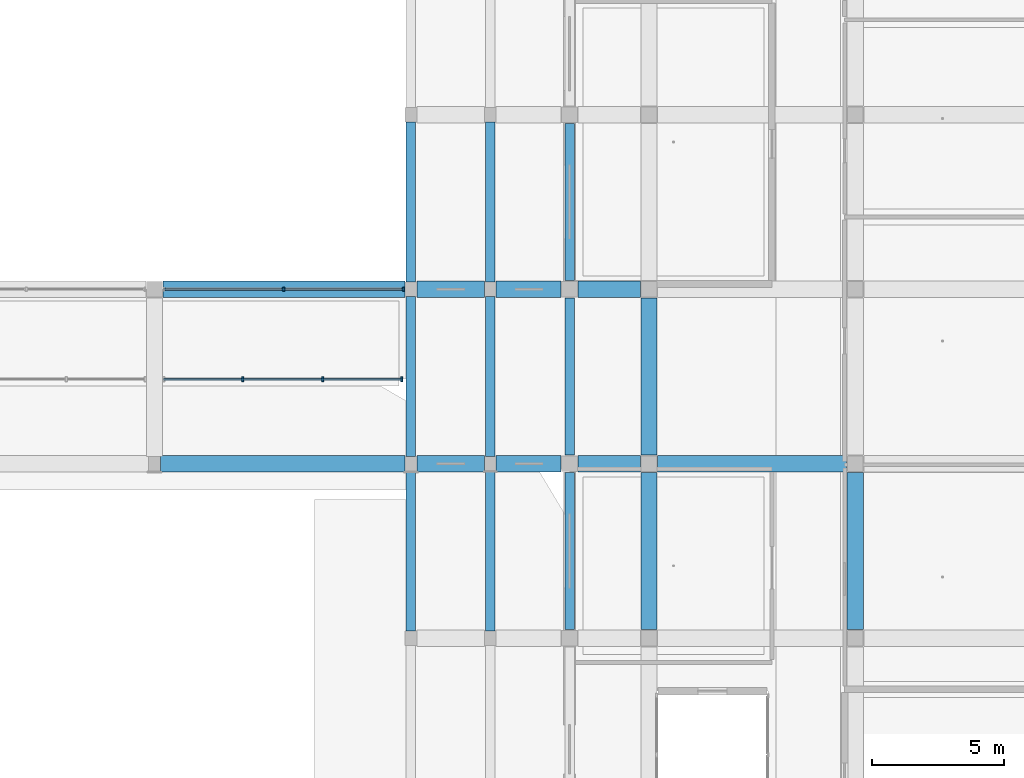
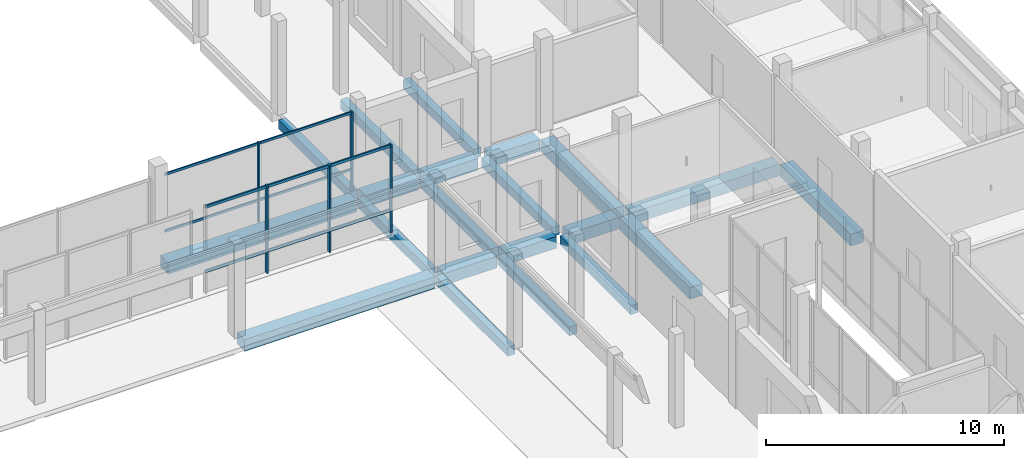
# One storey, part 37 of 88: 21 beams, 9 members, 2 elements without a shape of their own.
"""IFC4 building model written with IfcOpenShell, lengths in metres."""

from ifc_helpers import new_model, si_unit, derived_unit, direction, frame, origin, origin_2d, place, context, subcontext, project, spatial, rectangle, extrude, material, material_profile, profile_set, type_object, element, aggregate, save


model = new_model("IFC4")

# Units and contexts
model_context = context("Model", 3, precision=1e-05, world=origin(), true_north=direction((0.0, 1.0)))
body_context = subcontext(model_context, "Body", "Model", "MODEL_VIEW")
ifc_project = project(units=[si_unit("LENGTHUNIT", "METRE"), si_unit("AREAUNIT", "SQUARE_METRE"), si_unit("VOLUMEUNIT", "CUBIC_METRE"), si_unit("PLANEANGLEUNIT", "RADIAN"), si_unit("MASSUNIT", "GRAM", prefix="KILO"), derived_unit("THERMALTRANSMITTANCEUNIT", [(si_unit("POWERUNIT", "WATT"), 1), (si_unit("LENGTHUNIT", "METRE"), -2), (si_unit("THERMODYNAMICTEMPERATUREUNIT", "KELVIN"), -1)])], contexts=[model_context])

# Site, building, storey
site_placement = place(None, origin())
site = spatial("IfcSite", under=ifc_project, at=site_placement, CompositionType="ELEMENT")
building_placement = place(site_placement, origin())
building = spatial("IfcBuilding", under=site, at=building_placement, Name="Braskholm Square Health Centre", CompositionType="ELEMENT")
storey_placement = place(building_placement, origin())
storey = spatial("IfcBuildingStorey", under=building, at=storey_placement, Name="L01", CompositionType="ELEMENT", Elevation=0.0)

# Curtain wall, members
ifc_material_1 = material(Name="Low-E triple insulating glass (VLT 0.64)", Category="glass")
curtain_wall_type_1 = type_object("IfcCurtainWallType", Name="UnitisedCurtainWall6200x4100", PredefinedType="NOTDEFINED", material=ifc_material_1)
curtain_wall_1_placement = place(storey_placement, origin())
curtain_wall_1 = element("IfcCurtainWall", 1, at=curtain_wall_1_placement, inside=storey, type_object=curtain_wall_type_1, Name="Portal North L01 unitised curtain wall CW-L01-0210", PredefinedType="NOTDEFINED")
ifc_material_2 = material(Name="Architectural bronze anodised aluminium", Category="aluminium")
ifc_material_profile_1 = material_profile(ifc_material_2, rectangle(XDim=0.06494140625, YDim=0.14990234375, at=origin_2d()), Name="ALU-65X150")
ifc_profile_set_1 = profile_set([ifc_material_profile_1], Name="Architectural bronze anodised aluminium")
member_type_1 = type_object("IfcMemberType", Name="CurtainWallMullion65x150", PredefinedType="MULLION", material=ifc_profile_set_1)
member_1_placement = place(storey_placement, frame((139.52294921875, 93.800048828125, 0.0), z_axis=(0.0, 0.0, 1.0), x_axis=(1.0, 0.0, 0.0)))
member_1 = element("IfcMember", 2, at=member_1_placement, type_object=member_type_1, Name="CW-L01-0210 vertical mullion 1", PredefinedType="MULLION", context=body_context, shape_type="SweptSolid", body=[
    extrude(rectangle(XDim=0.06494140625, YDim=0.14990234375, at=origin_2d()), origin(), (0.0, 0.0, 1.0), 4.10009765625),
])
member_2_placement = place(storey_placement, frame((134.989990234375, 93.800048828125, 0.0), z_axis=(0.0, 0.0, 1.0), x_axis=(1.0, 0.0, 0.0)))
member_2 = element("IfcMember", 3, at=member_2_placement, type_object=member_type_1, Name="CW-L01-0210 vertical mullion 2", PredefinedType="MULLION", context=body_context, shape_type="SweptSolid", body=[
    extrude(rectangle(XDim=0.06494140625, YDim=0.14990234375, at=origin_2d()), origin(), (0.0, 0.0, 1.0), 4.10009765625),
])

curtain_wall_type_2 = type_object("IfcCurtainWallType", Name="UnitisedCurtainWall6200x4400", PredefinedType="NOTDEFINED", material=ifc_material_1)
curtain_wall_2_placement = place(storey_placement, origin())
curtain_wall_2 = element("IfcCurtainWall", 4, at=curtain_wall_2_placement, inside=storey, type_object=curtain_wall_type_2, Name="Hall Arcade unitised curtain wall CW-L01-0207", PredefinedType="NOTDEFINED")
ifc_material_profile_2 = material_profile(ifc_material_2, rectangle(XDim=0.074951171875, YDim=0.179931640625, at=origin_2d()), Name="ALU-75X180")
ifc_profile_set_2 = profile_set([ifc_material_profile_2], Name="Architectural bronze anodised aluminium")
member_type_2 = type_object("IfcMemberType", Name="CurtainWallMullion75x180", PredefinedType="MULLION", material=ifc_profile_set_2)
member_3_placement = place(storey_placement, frame((133.433349609375, 90.39990234375, 0.0), z_axis=(0.0, 0.0, 1.0), x_axis=(1.0, 0.0, 0.0)))
member_3 = element("IfcMember", 5, at=member_3_placement, type_object=member_type_2, Name="CW-L01-0207 vertical mullion 2", PredefinedType="MULLION", context=body_context, shape_type="SweptSolid", body=[
    extrude(rectangle(XDim=0.074951171875, YDim=0.179931640625, at=origin_2d()), origin(), (0.0, 0.0, 1.0), 4.5),
])
member_4_placement = place(storey_placement, frame((136.466796875, 90.39990234375, 0.0), z_axis=(0.0, 0.0, 1.0), x_axis=(1.0, 0.0, 0.0)))
member_4 = element("IfcMember", 6, at=member_4_placement, type_object=member_type_2, Name="CW-L01-0207 vertical mullion 3", PredefinedType="MULLION", context=body_context, shape_type="SweptSolid", body=[
    extrude(rectangle(XDim=0.074951171875, YDim=0.179931640625, at=origin_2d()), origin(), (0.0, 0.0, 1.0), 4.5),
])
member_5_placement = place(storey_placement, frame((139.4453125, 90.39990234375, 0.0), z_axis=(0.0, 0.0, 1.0), x_axis=(1.0, 0.0, 0.0)))
member_5 = element("IfcMember", 7, at=member_5_placement, type_object=member_type_2, Name="CW-L01-0207 vertical mullion 4", PredefinedType="MULLION", context=body_context, shape_type="SweptSolid", body=[
    extrude(rectangle(XDim=0.074951171875, YDim=0.179931640625, at=origin_2d()), origin(), (0.0, 0.0, 1.0), 4.5),
])

# Member
ifc_material_profile_3 = material_profile(ifc_material_2, rectangle(XDim=0.06494140625, YDim=0.1201171875, at=origin_2d()), Name="ALU-65X120")
ifc_profile_set_3 = profile_set([ifc_material_profile_3], Name="Architectural bronze anodised aluminium")
member_type_3 = type_object("IfcMemberType", Name="CurtainWallTransom65x120", PredefinedType="USERDEFINED", material=ifc_profile_set_3)
member_6_placement = place(storey_placement, frame((139.532958984375, 93.800048828125, 1.1201171875), z_axis=(-1.0, 0.0, 0.0), x_axis=(0.0, -1.0, 0.0)))
member_6 = element("IfcMember", 8, at=member_6_placement, type_object=member_type_3, Name="CW-L01-0210 horizontal transom 1", ObjectType="TRANSOM", PredefinedType="USERDEFINED", context=body_context, shape_type="SweptSolid", body=[
    extrude(rectangle(XDim=0.06494140625, YDim=0.1201171875, at=origin_2d()), origin(), (0.0, 0.0, 1.0), 9.0859375),
])

member_7_placement = place(storey_placement, frame((139.532958984375, 93.800048828125, 4.030029296875), z_axis=(-1.0, 0.0, 0.0), x_axis=(0.0, -1.0, 0.0)))
member_7 = element("IfcMember", 9, at=member_7_placement, type_object=member_type_3, Name="CW-L01-0210 horizontal transom 2", ObjectType="TRANSOM", PredefinedType="USERDEFINED", context=body_context, shape_type="SweptSolid", body=[
    extrude(rectangle(XDim=0.06494140625, YDim=0.1201171875, at=origin_2d()), origin(), (0.0, 0.0, 1.0), 9.0859375),
])

aggregate(curtain_wall_1, [member_1, member_2, member_6, member_7])

ifc_material_profile_4 = material_profile(ifc_material_2, rectangle(XDim=0.074951171875, YDim=0.139892578125, at=origin_2d()), Name="ALU-75X140")
ifc_profile_set_4 = profile_set([ifc_material_profile_4], Name="Architectural bronze anodised aluminium")
member_type_4 = type_object("IfcMemberType", Name="CurtainWallTransom75x140", PredefinedType="USERDEFINED", material=ifc_profile_set_4)
member_8_placement = place(storey_placement, frame((130.445068359375, 90.39990234375, 1.1201171875), z_axis=(1.0, 0.0, 0.0), x_axis=(0.0, 1.0, 0.0)))
member_8 = element("IfcMember", 10, at=member_8_placement, type_object=member_type_4, Name="CW-L01-0207 horizontal transom 1", ObjectType="TRANSOM", PredefinedType="USERDEFINED", context=body_context, shape_type="SweptSolid", body=[
    extrude(rectangle(XDim=0.074951171875, YDim=0.139892578125, at=origin_2d()), origin(), (0.0, 0.0, 1.0), 9.010009765625),
])

member_9_placement = place(storey_placement, frame((130.445068359375, 90.39990234375, 4.429931640625), z_axis=(1.0, 0.0, 0.0), x_axis=(0.0, 1.0, 0.0)))
member_9 = element("IfcMember", 11, at=member_9_placement, type_object=member_type_4, Name="CW-L01-0207 horizontal transom 2", ObjectType="TRANSOM", PredefinedType="USERDEFINED", context=body_context, shape_type="SweptSolid", body=[
    extrude(rectangle(XDim=0.074951171875, YDim=0.139892578125, at=origin_2d()), origin(), (0.0, 0.0, 1.0), 9.010009765625),
])

aggregate(curtain_wall_2, [member_3, member_4, member_5, member_8, member_9])

# Beams
ifc_material_3 = material(Name="Concrete C40/50 (f'c = 40 MPa)", Category="concrete")
ifc_material_profile_5 = material_profile(ifc_material_3, rectangle(XDim=0.6201171875, YDim=0.60009765625, at=origin_2d()), Name="RCB-620X600")
ifc_profile_set_5 = profile_set([ifc_material_profile_5], Name="Concrete C40/50 (f'c = 40 MPa)")
beam_type_1 = type_object("IfcBeamType", Name="PrimarySubstructureBeam620x600", PredefinedType="BEAM", material=ifc_profile_set_5)
beam_1_placement = place(storey_placement, frame((148.800048828125, 80.925048828125, -0.60009765625), z_axis=(0.0, 1.0, 0.0), x_axis=(-1.0, 0.0, 0.0)))
element("IfcBeam", 12, at=beam_1_placement, inside=storey, type_object=beam_type_1, Name="Beam 20/M-N L01", PredefinedType="BEAM", context=body_context, shape_type="SweptSolid", body=[
    extrude(rectangle(XDim=0.6201171875, YDim=0.60009765625, at=origin_2d()), origin(), (0.0, 0.0, 1.0), 5.949951171875),
])
beam_2_placement = place(storey_placement, frame((148.800048828125, 87.52490234375, -0.60009765625), z_axis=(0.0, 1.0, 0.0), x_axis=(-1.0, 0.0, 0.0)))
element("IfcBeam", 13, at=beam_2_placement, inside=storey, type_object=beam_type_1, Name="Beam 20/N-P L01", PredefinedType="BEAM", context=body_context, shape_type="SweptSolid", body=[
    extrude(rectangle(XDim=0.6201171875, YDim=0.60009765625, at=origin_2d()), origin(), (0.0, 0.0, 1.0), 5.9501953125),
])
beam_3_placement = place(storey_placement, frame((156.60009765625, 80.925048828125, -0.60009765625), z_axis=(0.0, 1.0, 0.0), x_axis=(-1.0, 0.0, 0.0)))
element("IfcBeam", 14, at=beam_3_placement, inside=storey, type_object=beam_type_1, Name="Beam 21/M-N L01", PredefinedType="BEAM", context=body_context, shape_type="SweptSolid", body=[
    extrude(rectangle(XDim=0.6201171875, YDim=0.60009765625, at=origin_2d()), origin(), (0.0, 0.0, 1.0), 5.949951171875),
])
beam_4_placement = place(storey_placement, frame((130.330078125, 87.199951171875, -0.52490234375), z_axis=(1.0, 0.0, 0.0), x_axis=(0.0, 1.0, 0.0)))
element("IfcBeam", 15, at=beam_4_placement, inside=storey, type_object=beam_type_1, Name="Beam 16-17/N L01", PredefinedType="BEAM", context=body_context, shape_type="SweptSolid", body=[
    extrude(rectangle(XDim=0.6201171875, YDim=0.60009765625, at=origin_2d()), origin(), (0.0, 0.0, 1.0), 9.239990234375),
])
beam_5_placement = place(storey_placement, frame((140.030029296875, 87.199951171875, -0.52490234375), z_axis=(1.0, 0.0, 0.0), x_axis=(0.0, 1.0, 0.0)))
element("IfcBeam", 16, at=beam_5_placement, inside=storey, type_object=beam_type_1, Name="Beam 17-18/N L01", PredefinedType="BEAM", context=body_context, shape_type="SweptSolid", body=[
    extrude(rectangle(XDim=0.6201171875, YDim=0.60009765625, at=origin_2d()), origin(), (0.0, 0.0, 1.0), 2.550048828125),
])
beam_6_placement = place(storey_placement, frame((143.02001953125, 87.199951171875, -0.52490234375), z_axis=(1.0, 0.0, 0.0), x_axis=(0.0, 1.0, 0.0)))
element("IfcBeam", 17, at=beam_6_placement, inside=storey, type_object=beam_type_1, Name="Beam 18-19/N L01", PredefinedType="BEAM", context=body_context, shape_type="SweptSolid", body=[
    extrude(rectangle(XDim=0.6201171875, YDim=0.60009765625, at=origin_2d()), origin(), (0.0, 0.0, 1.0), 2.455078125),
])
beam_7_placement = place(storey_placement, frame((146.125, 87.199951171875, -0.60009765625), z_axis=(1.0, 0.0, 0.0), x_axis=(0.0, 1.0, 0.0)))
element("IfcBeam", 18, at=beam_7_placement, inside=storey, type_object=beam_type_1, Name="Beam 19-20/N L01", PredefinedType="BEAM", context=body_context, shape_type="SweptSolid", body=[
    extrude(rectangle(XDim=0.6201171875, YDim=0.60009765625, at=origin_2d()), origin(), (0.0, 0.0, 1.0), 2.35009765625),
])
beam_8_placement = place(storey_placement, frame((149.125, 87.199951171875, -0.60009765625), z_axis=(1.0, 0.0, 0.0), x_axis=(0.0, 1.0, 0.0)))
element("IfcBeam", 19, at=beam_8_placement, inside=storey, type_object=beam_type_1, Name="Beam 20-21/N L01", PredefinedType="BEAM", context=body_context, shape_type="SweptSolid", body=[
    extrude(rectangle(XDim=0.6201171875, YDim=0.60009765625, at=origin_2d()), origin(), (0.0, 0.0, 1.0), 7.14990234375),
])
beam_9_placement = place(storey_placement, frame((130.425048828125, 93.800048828125, -0.60009765625), z_axis=(1.0, 0.0, 0.0), x_axis=(0.0, 1.0, 0.0)))
element("IfcBeam", 20, at=beam_9_placement, inside=storey, type_object=beam_type_1, Name="Beam 16-17/P L01", PredefinedType="BEAM", context=body_context, shape_type="SweptSolid", body=[
    extrude(rectangle(XDim=0.6201171875, YDim=0.60009765625, at=origin_2d()), origin(), (0.0, 0.0, 1.0), 9.155029296875),
])
beam_10_placement = place(storey_placement, frame((140.02001953125, 93.800048828125, -0.52490234375), z_axis=(1.0, 0.0, 0.0), x_axis=(0.0, 1.0, 0.0)))
element("IfcBeam", 21, at=beam_10_placement, inside=storey, type_object=beam_type_1, Name="Beam 17-18/P L01", PredefinedType="BEAM", context=body_context, shape_type="SweptSolid", body=[
    extrude(rectangle(XDim=0.6201171875, YDim=0.60009765625, at=origin_2d()), origin(), (0.0, 0.0, 1.0), 2.56005859375),
])
beam_11_placement = place(storey_placement, frame((143.02001953125, 93.800048828125, -0.52490234375), z_axis=(1.0, 0.0, 0.0), x_axis=(0.0, 1.0, 0.0)))
element("IfcBeam", 22, at=beam_11_placement, inside=storey, type_object=beam_type_1, Name="Beam 18-19/P L01", PredefinedType="BEAM", context=body_context, shape_type="SweptSolid", body=[
    extrude(rectangle(XDim=0.6201171875, YDim=0.60009765625, at=origin_2d()), origin(), (0.0, 0.0, 1.0), 2.455078125),
])
beam_12_placement = place(storey_placement, frame((146.125, 93.800048828125, -0.60009765625), z_axis=(1.0, 0.0, 0.0), x_axis=(0.0, 1.0, 0.0)))
element("IfcBeam", 23, at=beam_12_placement, inside=storey, type_object=beam_type_1, Name="Beam 19-20/P L01", PredefinedType="BEAM", context=body_context, shape_type="SweptSolid", body=[
    extrude(rectangle(XDim=0.6201171875, YDim=0.60009765625, at=origin_2d()), origin(), (0.0, 0.0, 1.0), 2.35009765625),
])
ifc_material_4 = material(Name="Precast concrete C40/50 architectural white", Category="concrete")
ifc_material_profile_6 = material_profile(ifc_material_4, rectangle(XDim=0.360107421875, YDim=0.4599609375, at=origin_2d()), Name="RCB-360X460")
ifc_profile_set_6 = profile_set([ifc_material_profile_6], Name="Precast concrete C40/50 architectural white")
beam_type_2 = type_object("IfcBeamType", Name="SpandrelTerraceEdge360x460", PredefinedType="SPANDREL", material=ifc_profile_set_6)
beam_13_placement = place(storey_placement, frame((139.800048828125, 80.8701171875, -0.455078125), z_axis=(0.0, 1.0, 0.0), x_axis=(-1.0, 0.0, 0.0)))
element("IfcBeam", 24, at=beam_13_placement, inside=storey, type_object=beam_type_2, Name="Beam 17/M-N L01", PredefinedType="SPANDREL", context=body_context, shape_type="SweptSolid", body=[
    extrude(rectangle(XDim=0.360107421875, YDim=0.4599609375, at=origin_2d()), origin(), (0.0, 0.0, 1.0), 6.0498046875),
])
beam_14_placement = place(storey_placement, frame((139.800048828125, 87.47998046875, -0.455078125), z_axis=(0.0, 1.0, 0.0), x_axis=(-1.0, 0.0, 0.0)))
element("IfcBeam", 25, at=beam_14_placement, inside=storey, type_object=beam_type_2, Name="Beam 17/N-P L01", PredefinedType="SPANDREL", context=body_context, shape_type="SweptSolid", body=[
    extrude(rectangle(XDim=0.360107421875, YDim=0.4599609375, at=origin_2d()), origin(), (0.0, 0.0, 1.0), 6.050048828125),
])
for number, where, z_axis, x_axis, name in (
    (26, (139.800048828125, 94.070068359375, -0.455078125), (0.0, 1.0, 0.0), (-1.0, 0.0, 0.0), "Beam 17/P-Q L01"),
    (27, (142.800048828125, 80.8701171875, -0.455078125), (0.0, 1.0, 0.0), (-1.0, 0.0, 0.0), "Beam 18/M-N L01"),
):
    element("IfcBeam", number, at=place(storey_placement, frame(where, z_axis=z_axis, x_axis=x_axis)), inside=storey, type_object=beam_type_2, Name=name, PredefinedType="SPANDREL", context=body_context, shape_type="SweptSolid", body=[
        extrude(rectangle(XDim=0.360107421875, YDim=0.4599609375, at=origin_2d()), origin(), (0.0, 0.0, 1.0), 6.059814453125),
    ])
beam_15_placement = place(storey_placement, frame((142.800048828125, 87.469970703125, -0.455078125), z_axis=(0.0, 1.0, 0.0), x_axis=(-1.0, 0.0, 0.0)))
element("IfcBeam", 28, at=beam_15_placement, inside=storey, type_object=beam_type_2, Name="Beam 18/N-P L01", PredefinedType="SPANDREL", context=body_context, shape_type="SweptSolid", body=[
    extrude(rectangle(XDim=0.360107421875, YDim=0.4599609375, at=origin_2d()), origin(), (0.0, 0.0, 1.0), 6.06005859375),
])
beam_16_placement = place(storey_placement, frame((142.800048828125, 94.070068359375, -0.455078125), z_axis=(0.0, 1.0, 0.0), x_axis=(-1.0, 0.0, 0.0)))
element("IfcBeam", 29, at=beam_16_placement, inside=storey, type_object=beam_type_2, Name="Beam 18/P-Q L01", PredefinedType="SPANDREL", context=body_context, shape_type="SweptSolid", body=[
    extrude(rectangle(XDim=0.360107421875, YDim=0.4599609375, at=origin_2d()), origin(), (0.0, 0.0, 1.0), 6.059814453125),
])
beam_17_placement = place(storey_placement, frame((145.800048828125, 80.925048828125, -0.455078125), z_axis=(0.0, 1.0, 0.0), x_axis=(-1.0, 0.0, 0.0)))
element("IfcBeam", 30, at=beam_17_placement, inside=storey, type_object=beam_type_2, Name="Beam 19/M-N L01", PredefinedType="SPANDREL", context=body_context, shape_type="SweptSolid", body=[
    extrude(rectangle(XDim=0.360107421875, YDim=0.4599609375, at=origin_2d()), origin(), (0.0, 0.0, 1.0), 5.949951171875),
])
beam_18_placement = place(storey_placement, frame((145.800048828125, 87.52490234375, -0.455078125), z_axis=(0.0, 1.0, 0.0), x_axis=(-1.0, 0.0, 0.0)))
element("IfcBeam", 31, at=beam_18_placement, inside=storey, type_object=beam_type_2, Name="Beam 19/N-P L01", PredefinedType="SPANDREL", context=body_context, shape_type="SweptSolid", body=[
    extrude(rectangle(XDim=0.360107421875, YDim=0.4599609375, at=origin_2d()), origin(), (0.0, 0.0, 1.0), 5.9501953125),
])
beam_19_placement = place(storey_placement, frame((145.800048828125, 94.125, -0.455078125), z_axis=(0.0, 1.0, 0.0), x_axis=(-1.0, 0.0, 0.0)))
element("IfcBeam", 32, at=beam_19_placement, inside=storey, type_object=beam_type_2, Name="Beam 19/P-Q L01", PredefinedType="SPANDREL", context=body_context, shape_type="SweptSolid", body=[
    extrude(rectangle(XDim=0.360107421875, YDim=0.4599609375, at=origin_2d()), origin(), (0.0, 0.0, 1.0), 5.949951171875),
])

save(model, "model.ifc")
